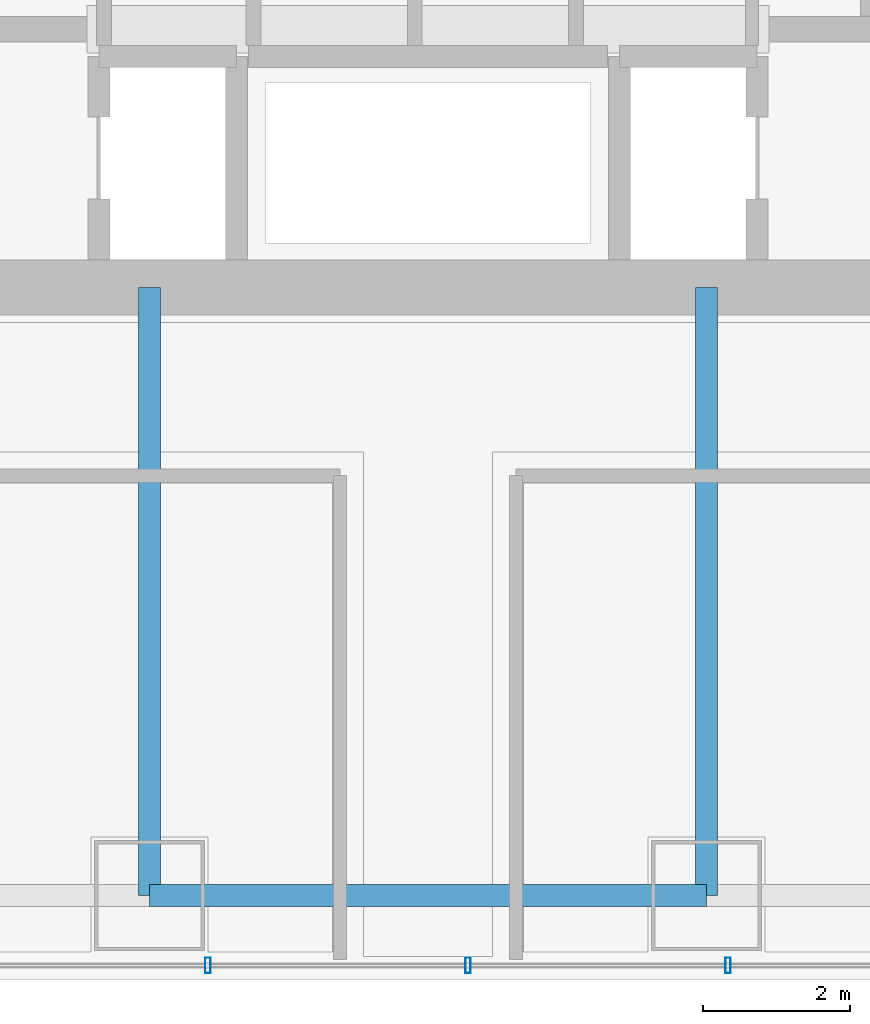
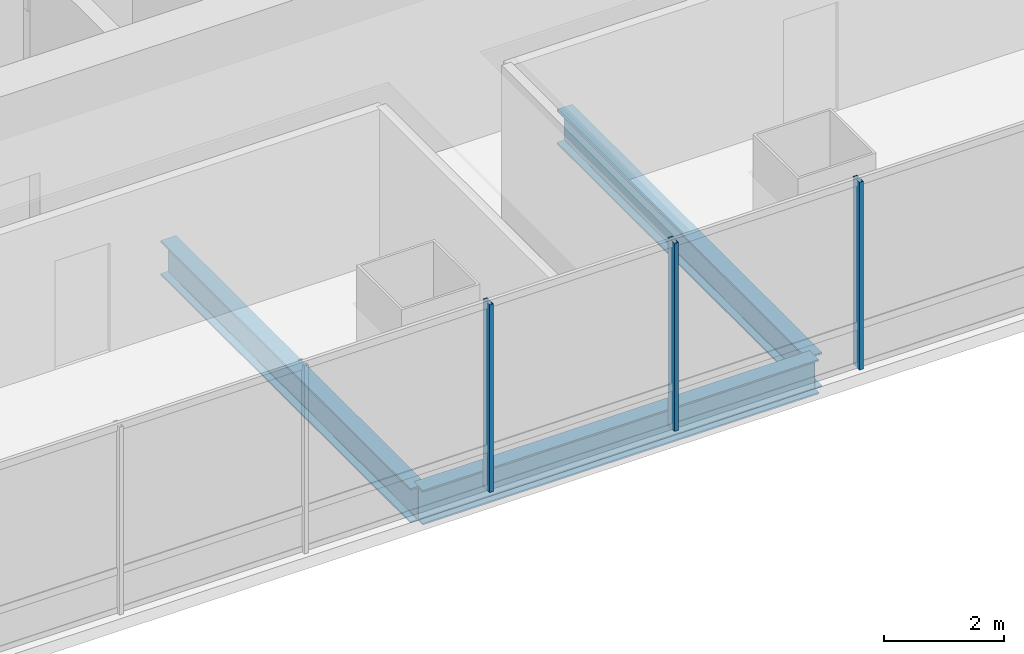
# One storey, part 5 of 34: 3 beams, 3 members, 1 element without a shape of its own.
"""IFC4 building model written with IfcOpenShell, lengths in metres."""

from ifc_helpers import new_model, si_unit, direction, frame, origin, origin_2d, place, context, subcontext, project, spatial, hollow_rectangle, i_section, extrude, material, material_profile, profile_set, type_object, element, aggregate, save


model = new_model("IFC4")

# Units and contexts
model_context = context("Model", 3, precision=1e-05, world=origin(), true_north=direction((0.0, 1.0)))
body_context = subcontext(model_context, "Body", "Model", "MODEL_VIEW")
ifc_project = project(units=[si_unit("LENGTHUNIT", "METRE"), si_unit("AREAUNIT", "SQUARE_METRE"), si_unit("VOLUMEUNIT", "CUBIC_METRE"), si_unit("PLANEANGLEUNIT", "RADIAN"), si_unit("MASSUNIT", "GRAM", prefix="KILO")], contexts=[model_context])

# Site, building, storey
site_placement = place(None, origin())
site = spatial("IfcSite", under=ifc_project, at=site_placement, CompositionType="ELEMENT")
building_placement = place(site_placement, origin())
building = spatial("IfcBuilding", under=site, at=building_placement, Name="Punatoya Terracotta Tower", CompositionType="ELEMENT")
storey_placement = place(building_placement, frame((0.0, 0.0, 117.300048828125)))
storey = spatial("IfcBuildingStorey", under=building, at=storey_placement, Name="L27", CompositionType="ELEMENT", Elevation=117.300048828125)

# Beams
ifc_material_1 = material(Name="Steel S355", Category="steel")
ifc_material_profile_1 = material_profile(ifc_material_1, i_section(OverallWidth=0.300048828125, OverallDepth=0.699951171875, WebThickness=0.01708984375, FlangeThickness=0.031982421875, FilletRadius=0.01806640625, at=origin_2d()))
ifc_profile_set_1 = profile_set([ifc_material_profile_1], Name="Steel S355")
beam_type = type_object("IfcBeamType", Name="BM-PRI-700", PredefinedType="BEAM", material=ifc_profile_set_1)
beam_placement = place(storey_placement, frame((-3.800048828125, -17.5, -0.590087890625), z_axis=(1.0, 0.0, 0.0), x_axis=(0.0, 1.0, 0.0)))
element("IfcBeam", 1, at=beam_placement, inside=storey, type_object=beam_type, Name="BM-L27-RG-S2", PredefinedType="BEAM", context=body_context, shape_type="SweptSolid", body=[
    extrude(i_section(OverallWidth=0.300048828125, OverallDepth=0.699951171875, WebThickness=0.01708984375, FlangeThickness=0.031982421875, FilletRadius=0.01806640625, at=origin_2d()), origin(), (0.0, 0.0, 1.0), 7.60009765625),
])
for number, where, z_axis, x_axis, name in (
    (2, (-3.800048828125, -17.5, -0.590087890625), (0.0, 1.0, 0.0), (-1.0, 0.0, 0.0), "BM-L27-PR-S2"),
    (3, (3.800048828125, -17.5, -0.590087890625), (0.0, 1.0, 0.0), (-1.0, 0.0, 0.0), "BM-L27-PR-S3"),
):
    element("IfcBeam", number, at=place(storey_placement, frame(where, z_axis=z_axis, x_axis=x_axis)), inside=storey, type_object=beam_type, Name=name, PredefinedType="BEAM", context=body_context, shape_type="SweptSolid", body=[
        extrude(i_section(OverallWidth=0.300048828125, OverallDepth=0.699951171875, WebThickness=0.01708984375, FlangeThickness=0.031982421875, FilletRadius=0.01806640625, at=origin_2d()), origin(), (0.0, 0.0, 1.0), 8.300048828125),
    ])

# Curtain wall, members
ifc_material_2 = material(Name="Aluminium 6063-T6 + Double Low-E Glass", Category="aluminium")
curtain_wall_type = type_object("IfcCurtainWallType", Name="CW-M1", PredefinedType="NOTDEFINED", material=ifc_material_2)
curtain_wall_placement = place(storey_placement, origin())
curtain_wall = element("IfcCurtainWall", 4, at=curtain_wall_placement, inside=storey, type_object=curtain_wall_type, Name="L27 Curtain Wall CW-L27-S01-1", PredefinedType="NOTDEFINED")
ifc_material_3 = material(Name="Aluminium 6063-T6", Category="aluminium")
ifc_material_profile_2 = material_profile(ifc_material_3, hollow_rectangle(XDim=0.074951171875, YDim=0.2099609375, WallThickness=0.00439453125, at=origin_2d()))
ifc_profile_set_2 = profile_set([ifc_material_profile_2], Name="Aluminium 6063-T6")
member_type = type_object("IfcMemberType", Name="CW-MUL-M1", PredefinedType="MULLION", material=ifc_profile_set_2)
member_1_placement = place(storey_placement, frame((-3.00390625, -18.449951171875, 0.0), z_axis=(0.0, 0.0, 1.0), x_axis=(1.0, 0.0, 0.0)))
member_1 = element("IfcMember", 5, at=member_1_placement, type_object=member_type, Name="CW-L27-S01-1 Mullion 03", PredefinedType="MULLION", context=body_context, shape_type="SweptSolid", body=[
    extrude(hollow_rectangle(XDim=0.074951171875, YDim=0.2099609375, WallThickness=0.00439453125, at=origin_2d()), origin(), (0.0, 0.0, 1.0), 3.81005859375),
])
member_2_placement = place(storey_placement, frame((0.544921875, -18.449951171875, 0.0), z_axis=(0.0, 0.0, 1.0), x_axis=(1.0, 0.0, 0.0)))
member_2 = element("IfcMember", 6, at=member_2_placement, type_object=member_type, Name="CW-L27-S01-1 Mullion 04", PredefinedType="MULLION", context=body_context, shape_type="SweptSolid", body=[
    extrude(hollow_rectangle(XDim=0.074951171875, YDim=0.2099609375, WallThickness=0.00439453125, at=origin_2d()), origin(), (0.0, 0.0, 1.0), 3.81005859375),
])
member_3_placement = place(storey_placement, frame((4.093505859375, -18.449951171875, 0.0), z_axis=(0.0, 0.0, 1.0), x_axis=(1.0, 0.0, 0.0)))
member_3 = element("IfcMember", 7, at=member_3_placement, type_object=member_type, Name="CW-L27-S01-1 Mullion 05", PredefinedType="MULLION", context=body_context, shape_type="SweptSolid", body=[
    extrude(hollow_rectangle(XDim=0.074951171875, YDim=0.2099609375, WallThickness=0.00439453125, at=origin_2d()), origin(), (0.0, 0.0, 1.0), 3.81005859375),
])
aggregate(curtain_wall, [member_1, member_2, member_3])

save(model, "model.ifc")
